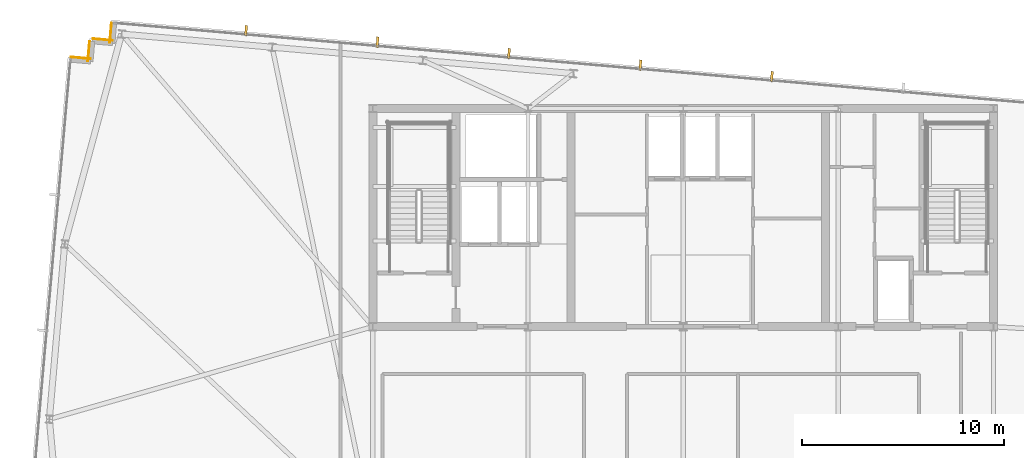
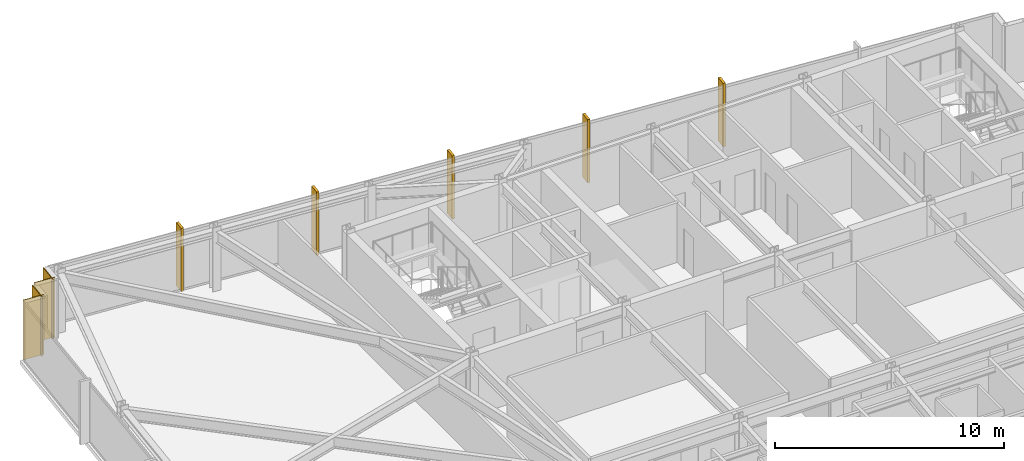
# One storey, part 33 of 33: 5 shading devices, 4 coverings.
"""IFC4 building model written with IfcOpenShell, lengths in metres."""

from ifc_helpers import new_model, si_unit, direction, frame, frame_2d, origin, origin_2d, place, context, subcontext, project, spatial, rectangle, extrude, material, layer, layer_set, type_object, element, save


model = new_model("IFC4")

# Units and contexts
model_context = context("Model", 3, precision=1e-05, world=origin(), true_north=direction((0.0, 1.0)))
body_context = subcontext(model_context, "Body", "Model", "MODEL_VIEW")
ifc_project = project(units=[si_unit("LENGTHUNIT", "METRE"), si_unit("AREAUNIT", "SQUARE_METRE"), si_unit("VOLUMEUNIT", "CUBIC_METRE"), si_unit("PLANEANGLEUNIT", "RADIAN"), si_unit("MASSUNIT", "GRAM", prefix="KILO")], contexts=[model_context])

# Site, building, storey
site_placement = place(None, origin())
site = spatial("IfcSite", under=ifc_project, at=site_placement, CompositionType="ELEMENT")
building_placement = place(site_placement, origin())
building = spatial("IfcBuilding", under=site, at=building_placement, Name="Yelkora Congress Tower", CompositionType="ELEMENT")
storey_placement = place(building_placement, frame((0.0, 0.0, 282.89990234375)))
storey = spatial("IfcBuildingStorey", under=building, at=storey_placement, Name="L79", CompositionType="ELEMENT", Elevation=282.89990234375)

# Coverings
ifc_material_1 = material(Name="Anatolian bush-hammered limestone", Category="masonry")
ifc_layer_1 = layer(ifc_material_1, 0.0400390625)
ifc_layer_set_1 = layer_set([ifc_layer_1], Name="Anatolian bush-hammered limestone")
covering_type = type_object("IfcCoveringType", Name="COV-CLAD-SPANDREL-40", PredefinedType="CLADDING", material=ifc_layer_set_1)
for number, where, z_axis, x_axis, name in (
    (1, (8.0849609375, 48.744140625, 0.0), (0.0, 0.0, 1.0), (0.996195572005, -0.087145753297, 0.0), "L79 Anatolian Limestone Cladding EW-L79-SR06"),
    (2, (8.93505859375, 48.5341796875, 0.0), (0.0, 0.0, 1.0), (0.087145753297, 0.996195572005, 0.0), "L79 Anatolian Limestone Cladding EW-L79-SR07"),
):
    element("IfcCovering", number, at=place(storey_placement, frame(where, z_axis=z_axis, x_axis=x_axis)), inside=storey, type_object=covering_type, Name=name, PredefinedType="CLADDING", context=body_context, shape_type="SweptSolid", body=[
        extrude(rectangle(XDim=1.000244140625, YDim=0.0400390625, at=frame_2d((0.5, 0.0))), origin(), (0.0, 0.0, 1.0), 3.18017578125),
    ])
covering_1_placement = place(storey_placement, frame((9.16845703125, 49.6533203125, 0.0), z_axis=(0.0, 0.0, 1.0), x_axis=(0.996193717496, -0.087166950281, 0.0)))
element("IfcCovering", 3, at=covering_1_placement, inside=storey, type_object=covering_type, Name="L79 Anatolian Limestone Cladding EW-L79-SR08", PredefinedType="CLADDING", context=body_context, shape_type="SweptSolid", body=[
    extrude(rectangle(XDim=1.0, YDim=0.0400390625, at=frame_2d((0.5, 0.0))), origin(), (0.0, 0.0, 1.0), 3.18017578125),
])
covering_2_placement = place(storey_placement, frame((10.018310546875, 49.443359375, 0.0), z_axis=(0.0, 0.0, 1.0), x_axis=(0.087145753297, 0.996195572005, 0.0)))
element("IfcCovering", 4, at=covering_2_placement, inside=storey, type_object=covering_type, Name="L79 Anatolian Limestone Cladding EW-L79-SR09", PredefinedType="CLADDING", context=body_context, shape_type="SweptSolid", body=[
    extrude(rectangle(XDim=1.000244140625, YDim=0.0400390625, at=frame_2d((0.5, 0.0))), origin(), (0.0, 0.0, 1.0), 3.18017578125),
])

# Shading devices
ifc_material_2 = material(Name="Champagne anodised aluminium", Category="aluminium")
ifc_layer_2 = layer(ifc_material_2, 3.300048828125)
ifc_layer_set_2 = layer_set([ifc_layer_2], Name="Champagne anodised aluminium")
shading_device_type = type_object("IfcShadingDeviceType", Name="SHD-FIN-ALU-520", PredefinedType="USERDEFINED", material=ifc_layer_set_2)
for number, where, z_axis, x_axis, name in (
    (5, (16.763916015625, 50.057861328125, -0.02978515625), (0.0, 0.0, 1.0), (0.996194698092, -0.087155742748, 0.0), "L79 Vertical Anodised Solar Fin 10-1"),
    (6, (23.2705078125, 49.488525390625, -0.02978515625), (0.0, 0.0, 1.0), (0.996194698092, -0.087155742748, 0.0), "L79 Vertical Anodised Solar Fin 10-2"),
    (7, (29.777099609375, 48.919189453125, -0.02978515625), (0.0, 0.0, 1.0), (0.996194698092, -0.087155742748, 0.0), "L79 Vertical Anodised Solar Fin 10-3"),
    (8, (36.28369140625, 48.35009765625, -0.02978515625), (0.0, 0.0, 1.0), (0.996194698092, -0.087155742748, 0.0), "L79 Vertical Anodised Solar Fin 10-4"),
    (9, (42.790283203125, 47.78076171875, -0.02978515625), (0.0, 0.0, 1.0), (0.996194698092, -0.087155742748, 0.0), "L79 Vertical Anodised Solar Fin 10-5"),
):
    element("IfcShadingDevice", number, at=place(storey_placement, frame(where, z_axis=z_axis, x_axis=x_axis)), inside=storey, type_object=shading_device_type, Name=name, ObjectType="FIN", PredefinedType="USERDEFINED", context=body_context, shape_type="SweptSolid", body=[
        extrude(rectangle(XDim=0.1201171875, YDim=0.52001953125, at=origin_2d()), origin(), (0.0, 0.0, 1.0), 3.3798828125),
    ])

save(model, "model.ifc")
